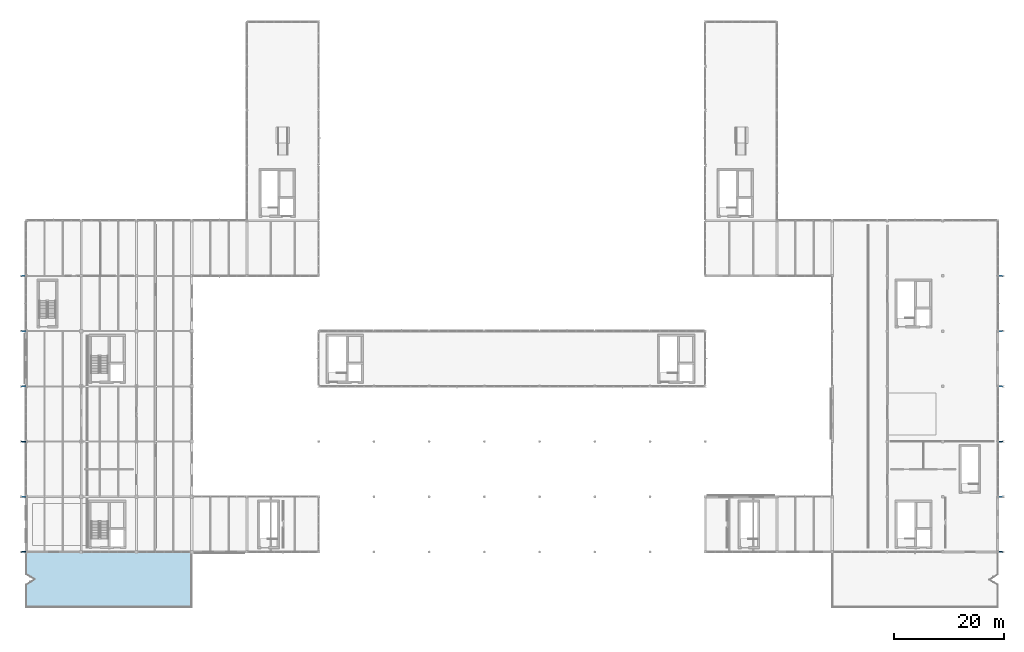
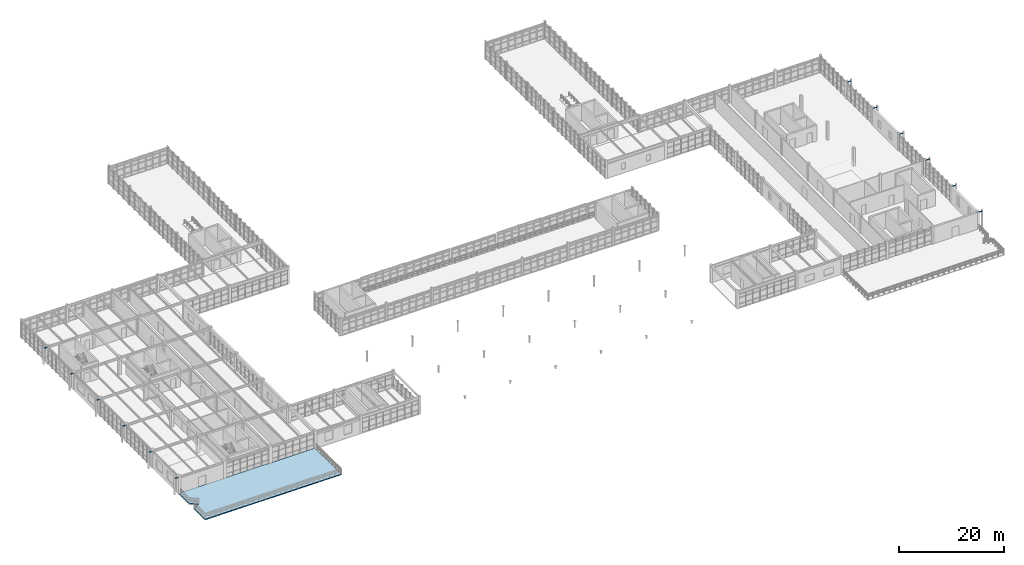
# One storey, part 72 of 122: 12 beams, 1 slab.
"""IFC4 building model written with IfcOpenShell, lengths in metres."""

from ifc_helpers import new_model, si_unit, direction, frame, origin, origin_2d, place, context, subcontext, project, spatial, polyline, hollow_rectangle, outline, extrude, material, layer, layer_set, material_profile, profile_set, type_object, element, save


model = new_model("IFC4")

# Units and contexts
model_context = context("Model", 3, precision=1e-05, world=origin(), true_north=direction((0.0, 1.0)))
body_context = subcontext(model_context, "Body", "Model", "MODEL_VIEW")
ifc_project = project(units=[si_unit("LENGTHUNIT", "METRE"), si_unit("AREAUNIT", "SQUARE_METRE"), si_unit("VOLUMEUNIT", "CUBIC_METRE"), si_unit("PLANEANGLEUNIT", "RADIAN"), si_unit("MASSUNIT", "GRAM", prefix="KILO"), si_unit("THERMODYNAMICTEMPERATUREUNIT", "KELVIN"), si_unit("POWERUNIT", "WATT")], contexts=[model_context])

# Site, building, storey
site_placement = place(None, origin())
site = spatial("IfcSite", under=ifc_project, at=site_placement, CompositionType="ELEMENT")
building_placement = place(site_placement, origin())
building = spatial("IfcBuilding", under=site, at=building_placement, Name="Korenveer Ferry Terminal", CompositionType="ELEMENT")
storey_placement = place(building_placement, frame((0.0, 0.0, 10.199951171875)))
storey = spatial("IfcBuildingStorey", under=building, at=storey_placement, Name="L02", CompositionType="ELEMENT", Elevation=10.199951171875)

# Beams
ifc_material_1 = material(Name="Steel S355", Category="steel")
ifc_material_profile = material_profile(ifc_material_1, hollow_rectangle(XDim=0.179931640625, YDim=0.179931640625, WallThickness=0.010009765625, InnerFilletRadius=0.010009765625, OuterFilletRadius=0.014892578125, at=origin_2d()), Name="SHS 180x180x10")
ifc_profile_set = profile_set([ifc_material_profile], Name="Steel S355")
beam_type = type_object("IfcBeamType", Name="STR-LNT-SHS180", PredefinedType="LINTEL", material=ifc_profile_set)
for number, where, z_axis, x_axis, name in (
    (1, (-0.949951171875, 20.0, 3.75), (1.0, 0.0, 0.0), (0.0, 1.0, 0.0), "Buttress tie beam PIL-TIE-L02-X0-Y20"),
    (2, (-0.949951171875, 30.0, 3.75), (1.0, 0.0, 0.0), (0.0, 1.0, 0.0), "Buttress tie beam PIL-TIE-L02-X0-Y30"),
    (3, (-0.949951171875, 40.0, 3.75), (1.0, 0.0, 0.0), (0.0, 1.0, 0.0), "Buttress tie beam PIL-TIE-L02-X0-Y40"),
    (4, (-0.949951171875, 50.0, 3.75), (1.0, 0.0, 0.0), (0.0, 1.0, 0.0), "Buttress tie beam PIL-TIE-L02-X0-Y50"),
    (5, (-0.949951171875, 60.0, 3.75), (1.0, 0.0, 0.0), (0.0, 1.0, 0.0), "Buttress tie beam PIL-TIE-L02-X0-Y60"),
    (6, (-0.949951171875, 70.0, 3.75), (1.0, 0.0, 0.0), (0.0, 1.0, 0.0), "Buttress tie beam PIL-TIE-L02-X0-Y70"),
    (7, (176.0, 20.0, 3.75), (1.0, 0.0, 0.0), (0.0, 1.0, 0.0), "Buttress tie beam PIL-TIE-L02-X176-Y20"),
    (8, (176.0, 30.0, 3.75), (1.0, 0.0, 0.0), (0.0, 1.0, 0.0), "Buttress tie beam PIL-TIE-L02-X176-Y30"),
    (9, (176.0, 40.0, 3.75), (1.0, 0.0, 0.0), (0.0, 1.0, 0.0), "Buttress tie beam PIL-TIE-L02-X176-Y40"),
    (10, (176.0, 50.0, 3.75), (1.0, 0.0, 0.0), (0.0, 1.0, 0.0), "Buttress tie beam PIL-TIE-L02-X176-Y50"),
    (11, (176.0, 60.0, 3.75), (1.0, 0.0, 0.0), (0.0, 1.0, 0.0), "Buttress tie beam PIL-TIE-L02-X176-Y60"),
    (12, (176.0, 70.0, 3.75), (1.0, 0.0, 0.0), (0.0, 1.0, 0.0), "Buttress tie beam PIL-TIE-L02-X176-Y70"),
):
    element("IfcBeam", number, at=place(storey_placement, frame(where, z_axis=z_axis, x_axis=x_axis)), inside=storey, type_object=beam_type, Name=name, PredefinedType="LINTEL", context=body_context, shape_type="SweptSolid", body=[
        extrude(hollow_rectangle(XDim=0.179931640625, YDim=0.179931640625, WallThickness=0.010009765625, InnerFilletRadius=0.010009765625, OuterFilletRadius=0.014892578125, at=origin_2d()), origin(), (0.0, 0.0, 1.0), 0.949951171875),
    ])

# Slab
ifc_material_2 = material(Name="Concrete C40/50", Category="concrete")
ifc_layer = layer(ifc_material_2, 0.219970703125)
ifc_layer_set = layer_set([ifc_layer], Name="Concrete C40/50")
slab_type = type_object("IfcSlabType", Name="STR-SL-DECK220", PredefinedType="FLOOR", material=ifc_layer_set)
slab_placement = place(storey_placement, frame((0.0, 0.0, -0.219970703125)))
element("IfcSlab", 13, at=slab_placement, inside=storey, type_object=slab_type, Name="West Public Roof Promenade", PredefinedType="FLOOR", context=body_context, shape_type="SweptSolid", body=[
    extrude(outline(polyline([(0.0, 10.0), (30.0, 10.0), (30.0, 20.0), (0.0, 20.0), (0.0, 16.0), (1.5, 15.0), (0.0, 14.0), (0.0, 10.0)])), origin(), (0.0, 0.0, 1.0), 0.219970703125),
])

save(model, "model.ifc")
